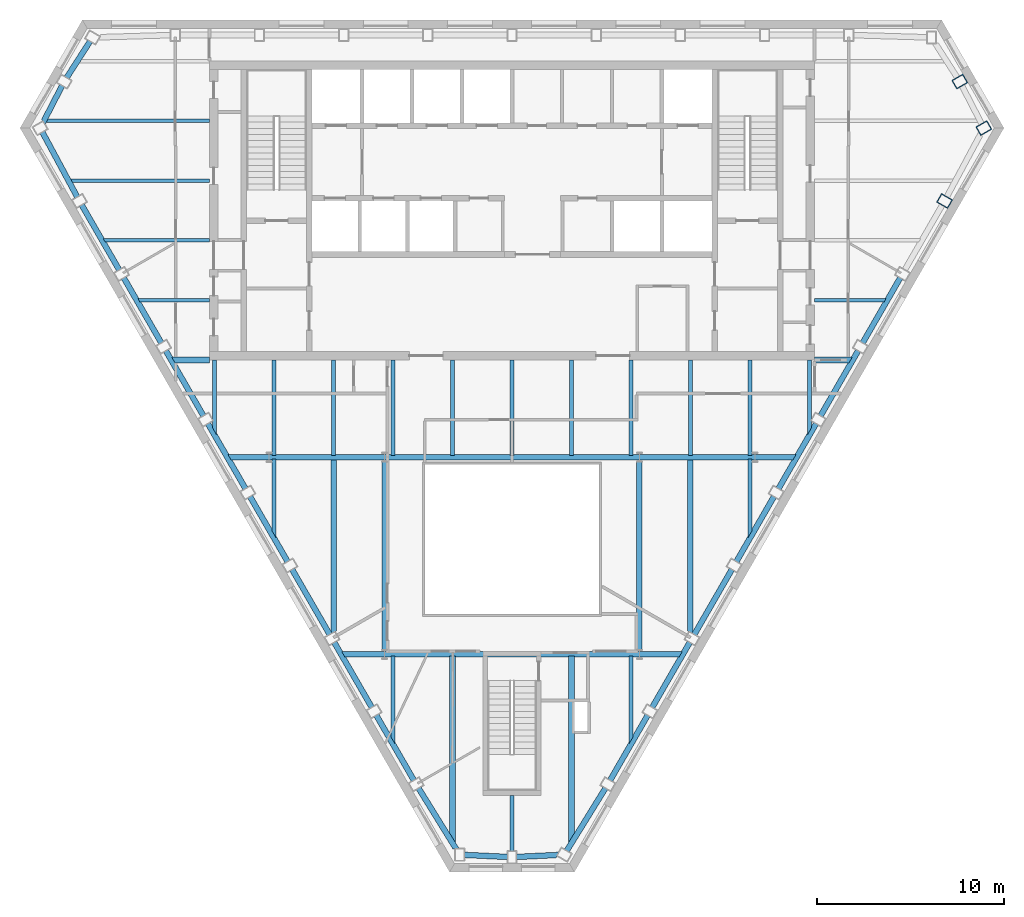
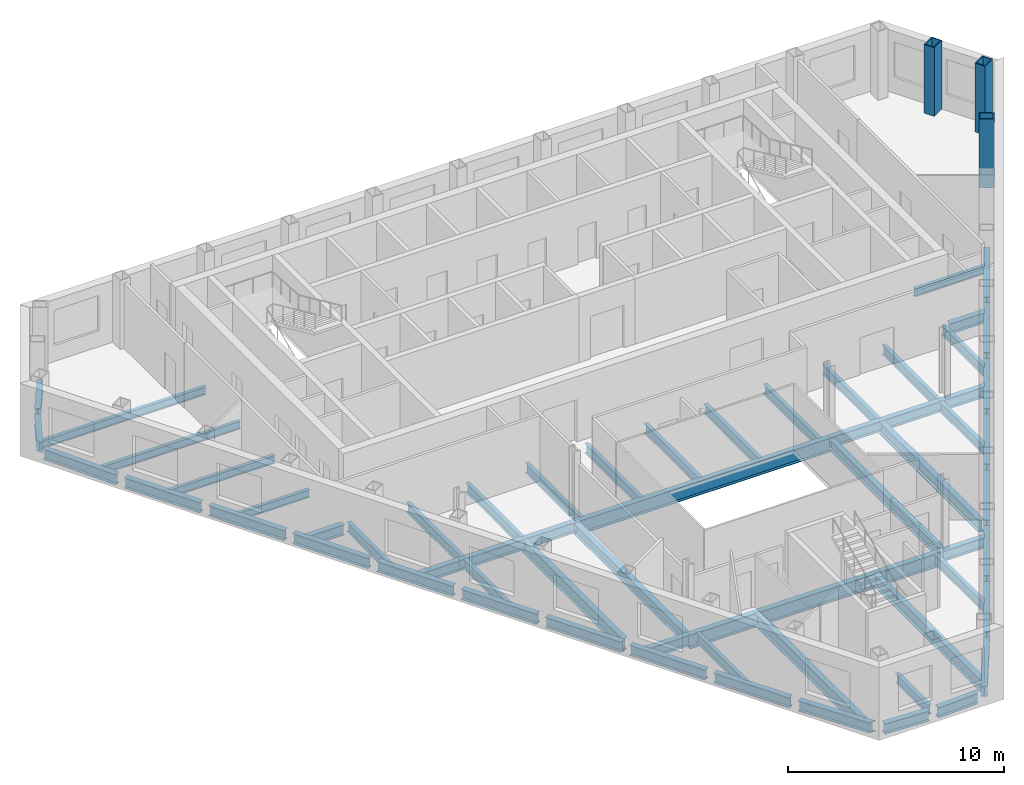
# One storey, part 2 of 10: 59 beams, 3 columns.
"""IFC4 building model written with IfcOpenShell, lengths in metres."""

from ifc_helpers import new_model, si_unit, direction, frame, origin, origin_2d, place, context, subcontext, project, spatial, hollow_rectangle, i_section, extrude, clip, halfspace, material, material_profile, profile_set, type_object, element, save


model = new_model("IFC4")

# Units and contexts
model_context = context("Model", 3, precision=1e-05, world=origin(), true_north=direction((0.0, 1.0)))
body_context = subcontext(model_context, "Body", "Model", "MODEL_VIEW")
ifc_project = project(units=[si_unit("LENGTHUNIT", "METRE"), si_unit("AREAUNIT", "SQUARE_METRE"), si_unit("VOLUMEUNIT", "CUBIC_METRE"), si_unit("PLANEANGLEUNIT", "RADIAN"), si_unit("MASSUNIT", "GRAM", prefix="KILO")], contexts=[model_context])

# Site, building, storey
site_placement = place(None, origin())
site = spatial("IfcSite", under=ifc_project, at=site_placement, CompositionType="ELEMENT")
building_placement = place(site_placement, origin())
building = spatial("IfcBuilding", under=site, at=building_placement, Name="Njiva Tower", CompositionType="ELEMENT")
storey_placement = place(building_placement, frame((0.0, 0.0, 235.5)))
storey = spatial("IfcBuildingStorey", under=building, at=storey_placement, Name="L53", CompositionType="ELEMENT", Elevation=235.5)

# Columns
ifc_material = material(Name="Steel S355 J2", Category="steel")
ifc_material_profile_1 = material_profile(ifc_material, hollow_rectangle(XDim=0.55, YDim=0.7, WallThickness=0.05, at=origin_2d()), Name="BOX 700x550x50")
ifc_profile_set_1 = profile_set([ifc_material_profile_1], Name="Steel S355 J2")
column_type = type_object("IfcColumnType", Name="C11 Perimeter tube column BOX 700x550x50", PredefinedType="COLUMN", material=ifc_profile_set_1)
for number, where, z_axis, x_axis, name in (
    (1, (23.158, 10.512, 0.0), (0.0, 0.0, 1.0), (0.5, 0.866025403784, 0.0), "Perimeter tube column S17-C34"),
    (2, (25.258, 14.415, 0.0), (0.0, 0.0, 1.0), (-0.5, 0.866025403784, 0.0), "Perimeter tube column S17-C35"),
    (3, (23.972, 16.907, 0.0), (0.0, 0.0, 1.0), (-0.5, 0.866025403784, 0.0), "Perimeter tube column S17-C36"),
):
    element("IfcColumn", number, at=place(storey_placement, frame(where, z_axis=z_axis, x_axis=x_axis)), inside=storey, type_object=column_type, Name=name, PredefinedType="COLUMN", context=body_context, shape_type="SweptSolid", body=[
        extrude(hollow_rectangle(XDim=0.55, YDim=0.7, WallThickness=0.05, at=origin_2d()), origin(), (0.0, 0.0, 1.0), 3.9),
    ])

# Beams
ifc_material_profile_2 = material_profile(ifc_material, i_section(OverallWidth=0.3, OverallDepth=0.69, WebThickness=0.0145, FlangeThickness=0.027, at=origin_2d()), Name="HEA 700")
ifc_profile_set_2 = profile_set([ifc_material_profile_2], Name="Steel S355 J2")
beam_type_1 = type_object("IfcBeamType", Name="B12 Long-span floor joist HEA 700", PredefinedType="JOIST", material=ifc_profile_set_2)
beam_1_placement = place(storey_placement, frame((-3.183, -13.85, -0.545), z_axis=(0.0, -1.0, 0.0), x_axis=(1.0, 0.0, 0.0)))
element("IfcBeam", 4, at=beam_1_placement, inside=storey, type_object=beam_type_1, Name="Long-span floor joist S17-B056", PredefinedType="JOIST", context=body_context, shape_type="Clipping", body=[
    clip(extrude(i_section(OverallWidth=0.3, OverallDepth=0.69, WebThickness=0.0145, FlangeThickness=0.027, at=origin_2d()), origin(), (0.0, 0.0, 1.0), 10.012), halfspace(frame((-0.0429, 0.0, 9.7533), z_axis=(-0.850615955969, 0.0, 0.525787500281), x_axis=(0.0, 1.0, 0.0)), False)),
])
beam_2_placement = place(storey_placement, frame((3.183, -13.85, -0.545), z_axis=(0.0, -1.0, 0.0), x_axis=(1.0, 0.0, 0.0)))
element("IfcBeam", 5, at=beam_2_placement, inside=storey, type_object=beam_type_1, Name="Long-span floor joist S17-B061", PredefinedType="JOIST", context=body_context, shape_type="Clipping", body=[
    clip(extrude(i_section(OverallWidth=0.3, OverallDepth=0.69, WebThickness=0.0145, FlangeThickness=0.027, at=origin_2d()), origin(), (0.0, 0.0, 1.0), 10.012), halfspace(frame((0.0429, 0.0, 9.7533), z_axis=(0.850615955969, 0.0, 0.525787500281), x_axis=(0.0, 1.0, 0.0)), False)),
])
ifc_material_profile_3 = material_profile(ifc_material, i_section(OverallWidth=0.3, OverallDepth=0.69, WebThickness=0.0145, FlangeThickness=0.027, at=origin_2d()), Name="HEA 700")
ifc_profile_set_3 = profile_set([ifc_material_profile_3], Name="Steel S355 J2")
beam_type_2 = type_object("IfcBeamType", Name="B26 Floor joist HEA 700", PredefinedType="JOIST", material=ifc_profile_set_3)
beam_3_placement = place(storey_placement, frame((-9.55, -3.3, -0.545), z_axis=(0.0, -1.0, 0.0), x_axis=(1.0, 0.0, 0.0)))
element("IfcBeam", 6, at=beam_3_placement, inside=storey, type_object=beam_type_2, Name="Floor joist S17-B052", PredefinedType="JOIST", context=body_context, shape_type="Clipping", body=[
    clip(extrude(i_section(OverallWidth=0.3, OverallDepth=0.69, WebThickness=0.0145, FlangeThickness=0.027, at=origin_2d()), origin(), (0.0, 0.0, 1.0), 9.375), halfspace(frame((0.025, 0.0, 9.28), z_axis=(0.499998009787, 0.0, 0.866026552831), x_axis=(0.0, 1.0, 0.0)), False)),
])
beam_4_placement = place(storey_placement, frame((9.55, -3.3, -0.545), z_axis=(0.0, -1.0, 0.0), x_axis=(1.0, 0.0, 0.0)))
element("IfcBeam", 7, at=beam_4_placement, inside=storey, type_object=beam_type_2, Name="Floor joist S17-B066", PredefinedType="JOIST", context=body_context, shape_type="Clipping", body=[
    clip(extrude(i_section(OverallWidth=0.3, OverallDepth=0.69, WebThickness=0.0145, FlangeThickness=0.027, at=origin_2d()), origin(), (0.0, 0.0, 1.0), 9.375), halfspace(frame((-0.025, 0.0, 9.28), z_axis=(-0.499998009787, 0.0, 0.866026552831), x_axis=(0.0, 1.0, 0.0)), False)),
])
ifc_material_profile_4 = material_profile(ifc_material, i_section(OverallWidth=0.3, OverallDepth=0.59, WebThickness=0.013, FlangeThickness=0.025, at=origin_2d()), Name="HEA 600")
ifc_profile_set_4 = profile_set([ifc_material_profile_4], Name="Steel S355 J2")
beam_type_3 = type_object("IfcBeamType", Name="B27 Short-span spandrel beam HEA 600", PredefinedType="SPANDREL", material=ifc_profile_set_4)
beam_5_placement = place(storey_placement, frame((-22.581, 19.072, -0.495), z_axis=(-0.540628086502, -0.841261714382, 0.0), x_axis=(0.841261714382, -0.540628086502, 0.0)))
element("IfcBeam", 8, at=beam_5_placement, inside=storey, type_object=beam_type_3, Name="Short-span spandrel beam S17-B082", PredefinedType="SPANDREL", context=body_context, shape_type="SweptSolid", body=[
    extrude(i_section(OverallWidth=0.3, OverallDepth=0.59, WebThickness=0.013, FlangeThickness=0.025, at=origin_2d()), origin(), (0.0, 0.0, 1.0), 2.3417),
])
beam_6_placement = place(storey_placement, frame((-24.078, 16.701, -0.495), z_axis=(-0.458367092714, -0.888762965203, 0.0), x_axis=(0.888762965203, -0.458367092714, 0.0)))
element("IfcBeam", 9, at=beam_6_placement, inside=storey, type_object=beam_type_3, Name="Short-span spandrel beam S17-B079", PredefinedType="SPANDREL", context=body_context, shape_type="Clipping", body=[
    clip(extrude(i_section(OverallWidth=0.3, OverallDepth=0.59, WebThickness=0.013, FlangeThickness=0.025, at=origin_2d()), origin(), (0.0, 0.0, 1.0), 2.3326), halfspace(frame((-0.0275, 0.0, 2.1989), z_axis=(-0.54050969293, 0.0, 0.841337787008), x_axis=(0.0, 1.0, 0.0)), False)),
])
beam_7_placement = place(storey_placement, frame((-25.149, 14.214, -0.495), z_axis=(0.473784701047, -0.880640708265, 0.0), x_axis=(0.880640708265, 0.473784701047, 0.0)))
element("IfcBeam", 10, at=beam_7_placement, inside=storey, type_object=beam_type_3, Name="Short-span spandrel beam S17-B078", PredefinedType="SPANDREL", context=body_context, shape_type="SweptSolid", body=[
    extrude(i_section(OverallWidth=0.3, OverallDepth=0.59, WebThickness=0.013, FlangeThickness=0.025, at=origin_2d()), origin(), (0.0, 0.0, 1.0), 3.9744),
])
for number, where, z_axis, x_axis, name in (
    (11, (-23.045, 10.317, -0.495), (0.499957196903, -0.866050114754, 0.0), (0.866050114754, 0.499957196903, 0.0), "Short-span spandrel beam S17-B083"),
    (12, (-20.792, 6.414, -0.495), (0.499957196903, -0.866050114754, 0.0), (0.866050114754, 0.499957196903, 0.0), "Short-span spandrel beam S17-B087"),
):
    element("IfcBeam", number, at=place(storey_placement, frame(where, z_axis=z_axis, x_axis=x_axis)), inside=storey, type_object=beam_type_3, Name=name, PredefinedType="SPANDREL", context=body_context, shape_type="SweptSolid", body=[
        extrude(i_section(OverallWidth=0.3, OverallDepth=0.59, WebThickness=0.013, FlangeThickness=0.025, at=origin_2d()), origin(), (0.0, 0.0, 1.0), 4.0563),
    ])
beam_8_placement = place(storey_placement, frame((-18.539, 2.511, -0.495), z_axis=(0.500063959222, -0.865988473761, 0.0), x_axis=(0.865988473761, 0.500063959222, 0.0)))
element("IfcBeam", 13, at=beam_8_placement, inside=storey, type_object=beam_type_3, Name="Short-span spandrel beam S17-B089", PredefinedType="SPANDREL", context=body_context, shape_type="SweptSolid", body=[
    extrude(i_section(OverallWidth=0.3, OverallDepth=0.59, WebThickness=0.013, FlangeThickness=0.025, at=origin_2d()), origin(), (0.0, 0.0, 1.0), 4.0555),
])
beam_9_placement = place(storey_placement, frame((-16.286, -1.391, -0.495), z_axis=(0.500142068684, -0.865943364853, 0.0), x_axis=(0.865943364853, 0.500142068684, 0.0)))
element("IfcBeam", 14, at=beam_9_placement, inside=storey, type_object=beam_type_3, Name="Short-span spandrel beam S17-B093", PredefinedType="SPANDREL", context=body_context, shape_type="SweptSolid", body=[
    extrude(i_section(OverallWidth=0.3, OverallDepth=0.59, WebThickness=0.013, FlangeThickness=0.025, at=origin_2d()), origin(), (0.0, 0.0, 1.0), 4.0568),
])
for number, where, z_axis, x_axis, name in (
    (15, (-14.032, -5.294, -0.495), (0.499957196903, -0.866050114754, 0.0), (0.866050114754, 0.499957196903, 0.0), "Short-span spandrel beam S17-B095"),
    (16, (-11.779, -9.197, -0.495), (0.499957196903, -0.866050114754, 0.0), (0.866050114754, 0.499957196903, 0.0), "Short-span spandrel beam S17-B098"),
):
    element("IfcBeam", number, at=place(storey_placement, frame(where, z_axis=z_axis, x_axis=x_axis)), inside=storey, type_object=beam_type_3, Name=name, PredefinedType="SPANDREL", context=body_context, shape_type="SweptSolid", body=[
        extrude(i_section(OverallWidth=0.3, OverallDepth=0.59, WebThickness=0.013, FlangeThickness=0.025, at=origin_2d()), origin(), (0.0, 0.0, 1.0), 4.0563),
    ])
beam_10_placement = place(storey_placement, frame((-9.526, -13.1, -0.495), z_axis=(0.500142068684, -0.865943364853, 0.0), x_axis=(0.865943364853, 0.500142068684, 0.0)))
element("IfcBeam", 17, at=beam_10_placement, inside=storey, type_object=beam_type_3, Name="Short-span spandrel beam S17-B100", PredefinedType="SPANDREL", context=body_context, shape_type="SweptSolid", body=[
    extrude(i_section(OverallWidth=0.3, OverallDepth=0.59, WebThickness=0.013, FlangeThickness=0.025, at=origin_2d()), origin(), (0.0, 0.0, 1.0), 4.0568),
])
beam_11_placement = place(storey_placement, frame((-7.272, -17.003, -0.495), z_axis=(0.499957196903, -0.866050114754, 0.0), x_axis=(0.866050114754, 0.499957196903, 0.0)))
element("IfcBeam", 18, at=beam_11_placement, inside=storey, type_object=beam_type_3, Name="Short-span spandrel beam S17-B103", PredefinedType="SPANDREL", context=body_context, shape_type="SweptSolid", body=[
    extrude(i_section(OverallWidth=0.3, OverallDepth=0.59, WebThickness=0.013, FlangeThickness=0.025, at=origin_2d()), origin(), (0.0, 0.0, 1.0), 4.0563),
])
beam_12_placement = place(storey_placement, frame((-5.011, -20.906, -0.495), z_axis=(0.525835767898, -0.850586118626, 0.0), x_axis=(0.850586118626, 0.525835767898, 0.0)))
element("IfcBeam", 19, at=beam_12_placement, inside=storey, type_object=beam_type_3, Name="Short-span spandrel beam S17-B105", PredefinedType="SPANDREL", context=body_context, shape_type="Clipping", body=[
    clip(extrude(i_section(OverallWidth=0.3, OverallDepth=0.59, WebThickness=0.013, FlangeThickness=0.025, at=origin_2d()), origin(), (0.0, 0.0, 1.0), 3.9621), halfspace(frame((-0.0263, 0.0, 3.8329), z_axis=(-0.525835767898, 0.0, 0.850586118626), x_axis=(0.0, 1.0, 0.0)), False)),
])
beam_13_placement = place(storey_placement, frame((-2.57, -24.491, -0.495), z_axis=(0.998855542787, -0.047828910129, 0.0), x_axis=(0.047828910129, 0.998855542787, 0.0)))
element("IfcBeam", 20, at=beam_13_placement, inside=storey, type_object=beam_type_3, Name="Short-span spandrel beam S17-B109", PredefinedType="SPANDREL", context=body_context, shape_type="SweptSolid", body=[
    extrude(i_section(OverallWidth=0.3, OverallDepth=0.59, WebThickness=0.013, FlangeThickness=0.025, at=origin_2d()), origin(), (0.0, 0.0, 1.0), 2.3417),
])
beam_14_placement = place(storey_placement, frame((0.231, -24.603, -0.495), z_axis=(0.99885585607, 0.047822367093, 0.0), x_axis=(-0.047822367093, 0.99885585607, 0.0)))
element("IfcBeam", 21, at=beam_14_placement, inside=storey, type_object=beam_type_3, Name="Short-span spandrel beam S17-B111", PredefinedType="SPANDREL", context=body_context, shape_type="Clipping", body=[
    clip(extrude(i_section(OverallWidth=0.3, OverallDepth=0.59, WebThickness=0.013, FlangeThickness=0.025, at=origin_2d()), origin(), (0.0, 0.0, 1.0), 2.3325), halfspace(frame((-0.0274, 0.0, 2.1987), z_axis=(-0.540841379821, 0.0, 0.841124605438), x_axis=(0.0, 1.0, 0.0)), False)),
])
beam_15_placement = place(storey_placement, frame((2.922, -24.286, -0.495), z_axis=(0.525739328555, 0.850645730261, 0.0), x_axis=(-0.850645730261, 0.525739328555, 0.0)))
element("IfcBeam", 22, at=beam_15_placement, inside=storey, type_object=beam_type_3, Name="Short-span spandrel beam S17-B114", PredefinedType="SPANDREL", context=body_context, shape_type="SweptSolid", body=[
    extrude(i_section(OverallWidth=0.3, OverallDepth=0.59, WebThickness=0.013, FlangeThickness=0.025, at=origin_2d()), origin(), (0.0, 0.0, 1.0), 3.9735),
])
beam_16_placement = place(storey_placement, frame((5.244, -20.516, -0.495), z_axis=(0.499957196903, 0.866050114754, 0.0), x_axis=(-0.866050114754, 0.499957196903, 0.0)))
element("IfcBeam", 23, at=beam_16_placement, inside=storey, type_object=beam_type_3, Name="Short-span spandrel beam S17-B117", PredefinedType="SPANDREL", context=body_context, shape_type="SweptSolid", body=[
    extrude(i_section(OverallWidth=0.3, OverallDepth=0.59, WebThickness=0.013, FlangeThickness=0.025, at=origin_2d()), origin(), (0.0, 0.0, 1.0), 4.0563),
])
beam_17_placement = place(storey_placement, frame((7.497, -16.613, -0.495), z_axis=(0.500142068684, 0.865943364853, 0.0), x_axis=(-0.865943364853, 0.500142068684, 0.0)))
element("IfcBeam", 24, at=beam_17_placement, inside=storey, type_object=beam_type_3, Name="Short-span spandrel beam S17-B119", PredefinedType="SPANDREL", context=body_context, shape_type="SweptSolid", body=[
    extrude(i_section(OverallWidth=0.3, OverallDepth=0.59, WebThickness=0.013, FlangeThickness=0.025, at=origin_2d()), origin(), (0.0, 0.0, 1.0), 4.0568),
])
for number, where, z_axis, x_axis, name in (
    (25, (9.751, -12.71, -0.495), (0.499957196903, 0.866050114754, 0.0), (-0.866050114754, 0.499957196903, 0.0), "Short-span spandrel beam S17-B122"),
    (26, (12.004, -8.807, -0.495), (0.499957196903, 0.866050114754, 0.0), (-0.866050114754, 0.499957196903, 0.0), "Short-span spandrel beam S17-B124"),
):
    element("IfcBeam", number, at=place(storey_placement, frame(where, z_axis=z_axis, x_axis=x_axis)), inside=storey, type_object=beam_type_3, Name=name, PredefinedType="SPANDREL", context=body_context, shape_type="SweptSolid", body=[
        extrude(i_section(OverallWidth=0.3, OverallDepth=0.59, WebThickness=0.013, FlangeThickness=0.025, at=origin_2d()), origin(), (0.0, 0.0, 1.0), 4.0563),
    ])
beam_18_placement = place(storey_placement, frame((14.257, -4.904, -0.495), z_axis=(0.500142068684, 0.865943364853, 0.0), x_axis=(-0.865943364853, 0.500142068684, 0.0)))
element("IfcBeam", 27, at=beam_18_placement, inside=storey, type_object=beam_type_3, Name="Short-span spandrel beam S17-B128", PredefinedType="SPANDREL", context=body_context, shape_type="SweptSolid", body=[
    extrude(i_section(OverallWidth=0.3, OverallDepth=0.59, WebThickness=0.013, FlangeThickness=0.025, at=origin_2d()), origin(), (0.0, 0.0, 1.0), 4.0568),
])
beam_19_placement = place(storey_placement, frame((16.511, -1.001, -0.495), z_axis=(0.500063959222, 0.865988473761, 0.0), x_axis=(-0.865988473761, 0.500063959222, 0.0)))
element("IfcBeam", 28, at=beam_19_placement, inside=storey, type_object=beam_type_3, Name="Short-span spandrel beam S17-B130", PredefinedType="SPANDREL", context=body_context, shape_type="SweptSolid", body=[
    extrude(i_section(OverallWidth=0.3, OverallDepth=0.59, WebThickness=0.013, FlangeThickness=0.025, at=origin_2d()), origin(), (0.0, 0.0, 1.0), 4.0555),
])
beam_20_placement = place(storey_placement, frame((18.764, 2.901, -0.495), z_axis=(0.499957196903, 0.866050114754, 0.0), x_axis=(-0.866050114754, 0.499957196903, 0.0)))
element("IfcBeam", 29, at=beam_20_placement, inside=storey, type_object=beam_type_3, Name="Short-span spandrel beam S17-B134", PredefinedType="SPANDREL", context=body_context, shape_type="SweptSolid", body=[
    extrude(i_section(OverallWidth=0.3, OverallDepth=0.59, WebThickness=0.013, FlangeThickness=0.025, at=origin_2d()), origin(), (0.0, 0.0, 1.0), 4.0563),
])
ifc_material_profile_5 = material_profile(ifc_material, i_section(OverallWidth=0.3, OverallDepth=0.59, WebThickness=0.013, FlangeThickness=0.025, at=origin_2d()), Name="HEA 600")
ifc_profile_set_5 = profile_set([ifc_material_profile_5], Name="Steel S355 J2")
beam_type_4 = type_object("IfcBeamType", Name="B28 Floor girder HEA 600", PredefinedType="BEAM", material=ifc_profile_set_5)
for number, where, z_axis, x_axis, name in (
    (30, (-13.0, -3.2, -0.495), (1.0, 0.0, 0.0), (0.0, 1.0, 0.0), "Floor girder S17-B013"),
    (31, (6.82, -3.2, -0.495), (1.0, 0.0, 0.0), (0.0, 1.0, 0.0), "Floor girder S17-B016"),
):
    element("IfcBeam", number, at=place(storey_placement, frame(where, z_axis=z_axis, x_axis=x_axis)), inside=storey, type_object=beam_type_4, Name=name, PredefinedType="BEAM", context=body_context, shape_type="SweptSolid", body=[
        extrude(i_section(OverallWidth=0.3, OverallDepth=0.59, WebThickness=0.013, FlangeThickness=0.025, at=origin_2d()), origin(), (0.0, 0.0, 1.0), 6.18),
    ])
ifc_material_profile_6 = material_profile(ifc_material, i_section(OverallWidth=0.3, OverallDepth=0.59, WebThickness=0.013, FlangeThickness=0.025, at=origin_2d()), Name="HEA 600")
ifc_profile_set_6 = profile_set([ifc_material_profile_6], Name="Steel S355 J2")
beam_type_5 = type_object("IfcBeamType", Name="B29 Short-span floor girder HEA 600", PredefinedType="BEAM", material=ifc_profile_set_6)
beam_21_placement = place(storey_placement, frame((-15.233, -3.2, -0.495), z_axis=(1.0, 0.0, 0.0), x_axis=(0.0, 1.0, 0.0)))
element("IfcBeam", 32, at=beam_21_placement, inside=storey, type_object=beam_type_5, Name="Short-span floor girder S17-B012", PredefinedType="BEAM", context=body_context, shape_type="Clipping", body=[
    clip(extrude(i_section(OverallWidth=0.3, OverallDepth=0.59, WebThickness=0.013, FlangeThickness=0.025, at=origin_2d()), origin(), (0.0, 0.0, 1.0), 2.233), halfspace(frame((-0.025, 0.0, 0.1217), z_axis=(-0.499998009787, 0.0, -0.866026552831), x_axis=(0.0, -1.0, 0.0)), False)),
])
beam_22_placement = place(storey_placement, frame((13.0, -3.2, -0.495), z_axis=(1.0, 0.0, 0.0), x_axis=(0.0, 1.0, 0.0)))
element("IfcBeam", 33, at=beam_22_placement, inside=storey, type_object=beam_type_5, Name="Short-span floor girder S17-B017", PredefinedType="BEAM", context=body_context, shape_type="Clipping", body=[
    clip(extrude(i_section(OverallWidth=0.3, OverallDepth=0.59, WebThickness=0.013, FlangeThickness=0.025, at=origin_2d()), origin(), (0.0, 0.0, 1.0), 2.233), halfspace(frame((-0.025, 0.0, 2.1113), z_axis=(-0.499998009787, 0.0, 0.866026552831), x_axis=(0.0, 1.0, 0.0)), False)),
])
beam_23_placement = place(storey_placement, frame((-9.142, -13.75, -0.495), z_axis=(1.0, 0.0, 0.0), x_axis=(0.0, 1.0, 0.0)))
element("IfcBeam", 34, at=beam_23_placement, inside=storey, type_object=beam_type_5, Name="Short-span floor girder S17-B014", PredefinedType="BEAM", context=body_context, shape_type="Clipping", body=[
    clip(extrude(i_section(OverallWidth=0.3, OverallDepth=0.59, WebThickness=0.013, FlangeThickness=0.025, at=origin_2d()), origin(), (0.0, 0.0, 1.0), 2.322), halfspace(frame((-0.025, 0.0, 0.1217), z_axis=(-0.499998009787, 0.0, -0.866026552831), x_axis=(0.0, -1.0, 0.0)), False)),
])
beam_24_placement = place(storey_placement, frame((6.82, -13.75, -0.495), z_axis=(1.0, 0.0, 0.0), x_axis=(0.0, 1.0, 0.0)))
element("IfcBeam", 35, at=beam_24_placement, inside=storey, type_object=beam_type_5, Name="Short-span floor girder S17-B015", PredefinedType="BEAM", context=body_context, shape_type="Clipping", body=[
    clip(extrude(i_section(OverallWidth=0.3, OverallDepth=0.59, WebThickness=0.013, FlangeThickness=0.025, at=origin_2d()), origin(), (0.0, 0.0, 1.0), 2.322), halfspace(frame((-0.025, 0.0, 2.2003), z_axis=(-0.499998009787, 0.0, 0.866026552831), x_axis=(0.0, 1.0, 0.0)), False)),
])
beam_25_placement = place(storey_placement, frame((-18.235, 2.0, -0.495), z_axis=(1.0, 0.0, 0.0), x_axis=(0.0, 1.0, 0.0)))
element("IfcBeam", 36, at=beam_25_placement, inside=storey, type_object=beam_type_5, Name="Short-span floor girder S17-B011", PredefinedType="BEAM", context=body_context, shape_type="Clipping", body=[
    clip(extrude(i_section(OverallWidth=0.3, OverallDepth=0.59, WebThickness=0.013, FlangeThickness=0.025, at=origin_2d()), origin(), (0.0, 0.0, 1.0), 2.035), halfspace(frame((-0.025, 0.0, 0.1214), z_axis=(-0.499998009787, 0.0, -0.866026552831), x_axis=(0.0, -1.0, 0.0)), False)),
])
beam_26_placement = place(storey_placement, frame((16.2, 2.0, -0.495), z_axis=(1.0, 0.0, 0.0), x_axis=(0.0, 1.0, 0.0)))
element("IfcBeam", 37, at=beam_26_placement, inside=storey, type_object=beam_type_5, Name="Short-span floor girder S17-B018", PredefinedType="BEAM", context=body_context, shape_type="Clipping", body=[
    clip(extrude(i_section(OverallWidth=0.3, OverallDepth=0.59, WebThickness=0.013, FlangeThickness=0.025, at=origin_2d()), origin(), (0.0, 0.0, 1.0), 2.035), halfspace(frame((-0.025, 0.0, 1.9136), z_axis=(-0.499998009787, 0.0, 0.866026552831), x_axis=(0.0, 1.0, 0.0)), False)),
])
ifc_material_profile_7 = material_profile(ifc_material, i_section(OverallWidth=0.3, OverallDepth=0.59, WebThickness=0.013, FlangeThickness=0.025, at=origin_2d()), Name="HEA 600")
ifc_profile_set_7 = profile_set([ifc_material_profile_7], Name="Steel S355 J2")
beam_type_6 = type_object("IfcBeamType", Name="B30 Long-span atrium trimmer beam HEA 600", PredefinedType="BEAM", material=ifc_profile_set_7)
for number, where, z_axis, x_axis, name in (
    (38, (6.82, -13.538, -0.495), (0.0, 1.0, 0.0), (-1.0, 0.0, 0.0), "Long-span atrium trimmer beam S17-B076"),
    (39, (-6.82, -3.412, -0.495), (0.0, -1.0, 0.0), (1.0, 0.0, 0.0), "Long-span atrium trimmer beam S17-B073"),
):
    element("IfcBeam", number, at=place(storey_placement, frame(where, z_axis=z_axis, x_axis=x_axis)), inside=storey, type_object=beam_type_6, Name=name, PredefinedType="BEAM", context=body_context, shape_type="SweptSolid", body=[
        extrude(i_section(OverallWidth=0.3, OverallDepth=0.59, WebThickness=0.013, FlangeThickness=0.025, at=origin_2d()), origin(), (0.0, 0.0, 1.0), 10.126),
    ])
ifc_material_profile_8 = material_profile(ifc_material, i_section(OverallWidth=0.21, OverallDepth=0.55, WebThickness=0.0111, FlangeThickness=0.0172, at=origin_2d()), Name="IPE 550")
ifc_profile_set_8 = profile_set([ifc_material_profile_8], Name="Steel S355 J2")
beam_type_7 = type_object("IfcBeamType", Name="B31 Short-span floor joist IPE 550", PredefinedType="JOIST", material=ifc_profile_set_8)
beam_27_placement = place(storey_placement, frame((-15.917, 1.995, -0.475), z_axis=(0.0, -1.0, 0.0), x_axis=(1.0, 0.0, 0.0)))
element("IfcBeam", 40, at=beam_27_placement, inside=storey, type_object=beam_type_7, Name="Short-span floor joist S17-B048", PredefinedType="JOIST", context=body_context, shape_type="Clipping", body=[
    clip(extrude(i_section(OverallWidth=0.21, OverallDepth=0.55, WebThickness=0.0111, FlangeThickness=0.0172, at=origin_2d()), origin(), (0.0, 0.0, 1.0), 4.027), halfspace(frame((-0.043, 0.0, 3.7501), z_axis=(-0.866026552831, 0.0, 0.499998009787), x_axis=(0.0, 1.0, 0.0)), False)),
])
beam_28_placement = place(storey_placement, frame((-12.733, -3.3, -0.475), z_axis=(0.0, -1.0, 0.0), x_axis=(1.0, 0.0, 0.0)))
element("IfcBeam", 41, at=beam_28_placement, inside=storey, type_object=beam_type_7, Name="Short-span floor joist S17-B049", PredefinedType="JOIST", context=body_context, shape_type="Clipping", body=[
    clip(extrude(i_section(OverallWidth=0.21, OverallDepth=0.55, WebThickness=0.0111, FlangeThickness=0.0172, at=origin_2d()), origin(), (0.0, 0.0, 1.0), 4.246), halfspace(frame((-0.0436, 0.0, 3.9688), z_axis=(-0.866026552831, 0.0, 0.499998009787), x_axis=(0.0, 1.0, 0.0)), False)),
])
beam_29_placement = place(storey_placement, frame((0.0, -21.3, -0.475), z_axis=(0.0, -1.0, 0.0), x_axis=(1.0, 0.0, 0.0)))
element("IfcBeam", 42, at=beam_29_placement, inside=storey, type_object=beam_type_7, Name="Short-span floor joist S17-B059", PredefinedType="JOIST", context=body_context, shape_type="SweptSolid", body=[
    extrude(i_section(OverallWidth=0.21, OverallDepth=0.55, WebThickness=0.0111, FlangeThickness=0.0172, at=origin_2d()), origin(), (0.0, 0.0, 1.0), 3.014),
])
beam_30_placement = place(storey_placement, frame((12.733, -3.3, -0.475), z_axis=(0.0, -1.0, 0.0), x_axis=(1.0, 0.0, 0.0)))
element("IfcBeam", 43, at=beam_30_placement, inside=storey, type_object=beam_type_7, Name="Short-span floor joist S17-B068", PredefinedType="JOIST", context=body_context, shape_type="Clipping", body=[
    clip(extrude(i_section(OverallWidth=0.21, OverallDepth=0.55, WebThickness=0.0111, FlangeThickness=0.0172, at=origin_2d()), origin(), (0.0, 0.0, 1.0), 4.246), halfspace(frame((0.0436, 0.0, 3.9688), z_axis=(0.866026552831, 0.0, 0.499998009787), x_axis=(0.0, 1.0, 0.0)), False)),
])
beam_31_placement = place(storey_placement, frame((15.917, 1.995, -0.475), z_axis=(0.0, -1.0, 0.0), x_axis=(1.0, 0.0, 0.0)))
element("IfcBeam", 44, at=beam_31_placement, inside=storey, type_object=beam_type_7, Name="Short-span floor joist S17-B070", PredefinedType="JOIST", context=body_context, shape_type="Clipping", body=[
    clip(extrude(i_section(OverallWidth=0.21, OverallDepth=0.55, WebThickness=0.0111, FlangeThickness=0.0172, at=origin_2d()), origin(), (0.0, 0.0, 1.0), 4.027), halfspace(frame((0.043, 0.0, 3.7501), z_axis=(0.866026552831, 0.0, 0.499998009787), x_axis=(0.0, 1.0, 0.0)), False)),
])
ifc_material_profile_9 = material_profile(ifc_material, i_section(OverallWidth=0.21, OverallDepth=0.55, WebThickness=0.0111, FlangeThickness=0.0172, at=origin_2d()), Name="IPE 550")
ifc_profile_set_9 = profile_set([ifc_material_profile_9], Name="Steel S355 J2")
beam_type_8 = type_object("IfcBeamType", Name="B32 Floor joist IPE 550", PredefinedType="JOIST", material=ifc_profile_set_9)
for number, where, z_axis, x_axis, name in (
    (45, (-12.733, 1.995, -0.475), (0.0, -1.0, 0.0), (1.0, 0.0, 0.0), "Floor joist S17-B050"),
    (46, (-9.55, 1.995, -0.475), (0.0, -1.0, 0.0), (1.0, 0.0, 0.0), "Floor joist S17-B053"),
    (47, (-6.367, 1.995, -0.475), (0.0, -1.0, 0.0), (1.0, 0.0, 0.0), "Floor joist S17-B055"),
):
    element("IfcBeam", number, at=place(storey_placement, frame(where, z_axis=z_axis, x_axis=x_axis)), inside=storey, type_object=beam_type_8, Name=name, PredefinedType="JOIST", context=body_context, shape_type="SweptSolid", body=[
        extrude(i_section(OverallWidth=0.21, OverallDepth=0.55, WebThickness=0.0111, FlangeThickness=0.0172, at=origin_2d()), origin(), (0.0, 0.0, 1.0), 5.095),
    ])
beam_32_placement = place(storey_placement, frame((-6.367, -13.85, -0.475), z_axis=(0.0, -1.0, 0.0), x_axis=(1.0, 0.0, 0.0)))
element("IfcBeam", 48, at=beam_32_placement, inside=storey, type_object=beam_type_8, Name="Floor joist S17-B054", PredefinedType="JOIST", context=body_context, shape_type="Clipping", body=[
    clip(extrude(i_section(OverallWidth=0.21, OverallDepth=0.55, WebThickness=0.0111, FlangeThickness=0.0172, at=origin_2d()), origin(), (0.0, 0.0, 1.0), 4.723), halfspace(frame((-0.043, 0.0, 4.4462), z_axis=(-0.866026552831, 0.0, 0.499998009787), x_axis=(0.0, 1.0, 0.0)), False)),
])
for number, where, z_axis, x_axis, name in (
    (49, (-3.183, 1.995, -0.475), (0.0, -1.0, 0.0), (1.0, 0.0, 0.0), "Floor joist S17-B057"),
    (50, (0.0, 1.995, -0.475), (0.0, -1.0, 0.0), (1.0, 0.0, 0.0), "Floor joist S17-B060"),
    (51, (3.183, 1.995, -0.475), (0.0, -1.0, 0.0), (1.0, 0.0, 0.0), "Floor joist S17-B062"),
    (52, (6.367, 1.995, -0.475), (0.0, -1.0, 0.0), (1.0, 0.0, 0.0), "Floor joist S17-B064"),
):
    element("IfcBeam", number, at=place(storey_placement, frame(where, z_axis=z_axis, x_axis=x_axis)), inside=storey, type_object=beam_type_8, Name=name, PredefinedType="JOIST", context=body_context, shape_type="SweptSolid", body=[
        extrude(i_section(OverallWidth=0.21, OverallDepth=0.55, WebThickness=0.0111, FlangeThickness=0.0172, at=origin_2d()), origin(), (0.0, 0.0, 1.0), 5.095),
    ])
beam_33_placement = place(storey_placement, frame((6.367, -13.85, -0.475), z_axis=(0.0, -1.0, 0.0), x_axis=(1.0, 0.0, 0.0)))
element("IfcBeam", 53, at=beam_33_placement, inside=storey, type_object=beam_type_8, Name="Floor joist S17-B063", PredefinedType="JOIST", context=body_context, shape_type="Clipping", body=[
    clip(extrude(i_section(OverallWidth=0.21, OverallDepth=0.55, WebThickness=0.0111, FlangeThickness=0.0172, at=origin_2d()), origin(), (0.0, 0.0, 1.0), 4.723), halfspace(frame((0.043, 0.0, 4.4462), z_axis=(0.866026552831, 0.0, 0.499998009787), x_axis=(0.0, 1.0, 0.0)), False)),
])
for number, where, z_axis, x_axis, name in (
    (54, (9.55, 1.995, -0.475), (0.0, -1.0, 0.0), (1.0, 0.0, 0.0), "Floor joist S17-B067"),
    (55, (12.733, 1.995, -0.475), (0.0, -1.0, 0.0), (1.0, 0.0, 0.0), "Floor joist S17-B069"),
):
    element("IfcBeam", number, at=place(storey_placement, frame(where, z_axis=z_axis, x_axis=x_axis)), inside=storey, type_object=beam_type_8, Name=name, PredefinedType="JOIST", context=body_context, shape_type="SweptSolid", body=[
        extrude(i_section(OverallWidth=0.21, OverallDepth=0.55, WebThickness=0.0111, FlangeThickness=0.0172, at=origin_2d()), origin(), (0.0, 0.0, 1.0), 5.095),
    ])
ifc_material_profile_10 = material_profile(ifc_material, i_section(OverallWidth=0.19, OverallDepth=0.45, WebThickness=0.0094, FlangeThickness=0.0146, at=origin_2d()), Name="IPE 450")
ifc_profile_set_10 = profile_set([ifc_material_profile_10], Name="Steel S355 J2")
beam_type_9 = type_object("IfcBeamType", Name="B37 Floor beam to the core IPE 450", PredefinedType="BEAM", material=ifc_profile_set_10)
beam_34_placement = place(storey_placement, frame((-21.898, 8.4, -0.425), z_axis=(1.0, 0.0, 0.0), x_axis=(0.0, 1.0, 0.0)))
element("IfcBeam", 56, at=beam_34_placement, inside=storey, type_object=beam_type_9, Name="Floor beam to the core S17-B004", PredefinedType="BEAM", context=body_context, shape_type="Clipping", body=[
    clip(extrude(i_section(OverallWidth=0.19, OverallDepth=0.45, WebThickness=0.0094, FlangeThickness=0.0146, at=origin_2d()), origin(), (0.0, 0.0, 1.0), 5.698), halfspace(frame((-0.025, 0.0, 0.0894), z_axis=(-0.499998009787, 0.0, -0.866026552831), x_axis=(0.0, -1.0, 0.0)), False)),
])
beam_35_placement = place(storey_placement, frame((-23.701, 11.6, -0.425), z_axis=(1.0, 0.0, 0.0), x_axis=(0.0, 1.0, 0.0)))
element("IfcBeam", 57, at=beam_35_placement, inside=storey, type_object=beam_type_9, Name="Floor beam to the core S17-B002", PredefinedType="BEAM", context=body_context, shape_type="Clipping", body=[
    clip(extrude(i_section(OverallWidth=0.19, OverallDepth=0.45, WebThickness=0.0094, FlangeThickness=0.0146, at=origin_2d()), origin(), (0.0, 0.0, 1.0), 7.501), halfspace(frame((-0.0237, 0.0, 0.0841), z_axis=(-0.47376166762, 0.0, -0.88065309986), x_axis=(0.0, -1.0, 0.0)), False)),
])
beam_36_placement = place(storey_placement, frame((-25.015, 14.8, -0.425), z_axis=(1.0, 0.0, 0.0), x_axis=(0.0, 1.0, 0.0)))
element("IfcBeam", 58, at=beam_36_placement, inside=storey, type_object=beam_type_9, Name="Floor beam to the core S17-B001", PredefinedType="BEAM", context=body_context, shape_type="Clipping", body=[
    clip(extrude(i_section(OverallWidth=0.19, OverallDepth=0.45, WebThickness=0.0094, FlangeThickness=0.0146, at=origin_2d()), origin(), (0.0, 0.0, 1.0), 8.815), halfspace(frame((0.0229, 0.0, 0.0804), z_axis=(0.458330853115, 0.0, -0.888781654335), x_axis=(0.0, -1.0, 0.0)), False)),
])
ifc_material_profile_11 = material_profile(ifc_material, i_section(OverallWidth=0.19, OverallDepth=0.45, WebThickness=0.0094, FlangeThickness=0.0146, at=origin_2d()), Name="IPE 450")
ifc_profile_set_11 = profile_set([ifc_material_profile_11], Name="Steel S355 J2")
beam_type_10 = type_object("IfcBeamType", Name="B38 Short-span floor beam to the core IPE 450", PredefinedType="BEAM", material=ifc_profile_set_11)
beam_37_placement = place(storey_placement, frame((-20.051, 5.2, -0.425), z_axis=(1.0, 0.0, 0.0), x_axis=(0.0, 1.0, 0.0)))
element("IfcBeam", 59, at=beam_37_placement, inside=storey, type_object=beam_type_10, Name="Short-span floor beam to the core S17-B005", PredefinedType="BEAM", context=body_context, shape_type="Clipping", body=[
    clip(extrude(i_section(OverallWidth=0.19, OverallDepth=0.45, WebThickness=0.0094, FlangeThickness=0.0146, at=origin_2d()), origin(), (0.0, 0.0, 1.0), 3.851), halfspace(frame((-0.025, 0.0, 0.0899), z_axis=(-0.499998009787, 0.0, -0.866026552831), x_axis=(0.0, -1.0, 0.0)), False)),
])
beam_38_placement = place(storey_placement, frame((16.2, 5.2, -0.425), z_axis=(1.0, 0.0, 0.0), x_axis=(0.0, 1.0, 0.0)))
element("IfcBeam", 60, at=beam_38_placement, inside=storey, type_object=beam_type_10, Name="Short-span floor beam to the core S17-B006", PredefinedType="BEAM", context=body_context, shape_type="Clipping", body=[
    clip(extrude(i_section(OverallWidth=0.19, OverallDepth=0.45, WebThickness=0.0094, FlangeThickness=0.0146, at=origin_2d()), origin(), (0.0, 0.0, 1.0), 3.851), halfspace(frame((-0.025, 0.0, 3.7611), z_axis=(-0.499998009787, 0.0, 0.866026552831), x_axis=(0.0, 1.0, 0.0)), False)),
])
ifc_material_profile_12 = material_profile(ifc_material, i_section(OverallWidth=0.3, OverallDepth=0.79, WebThickness=0.015, FlangeThickness=0.028, at=origin_2d()), Name="HEA 800")
ifc_profile_set_12 = profile_set([ifc_material_profile_12], Name="Steel S355 J2")
beam_type_11 = type_object("IfcBeamType", Name="B9 Long-span atrium trimmer beam HEA 800", PredefinedType="BEAM", material=ifc_profile_set_12)
for number, where, z_axis, x_axis, name in (
    (61, (-6.82, -13.75, -0.595), (1.0, 0.0, 0.0), (0.0, 1.0, 0.0), "Long-span atrium trimmer beam S17-B072"),
    (62, (6.82, -3.2, -0.595), (-1.0, 0.0, 0.0), (0.0, -1.0, 0.0), "Long-span atrium trimmer beam S17-B074"),
):
    element("IfcBeam", number, at=place(storey_placement, frame(where, z_axis=z_axis, x_axis=x_axis)), inside=storey, type_object=beam_type_11, Name=name, PredefinedType="BEAM", context=body_context, shape_type="SweptSolid", body=[
        extrude(i_section(OverallWidth=0.3, OverallDepth=0.79, WebThickness=0.015, FlangeThickness=0.028, at=origin_2d()), origin(), (0.0, 0.0, 1.0), 13.64),
    ])

save(model, "model.ifc")
